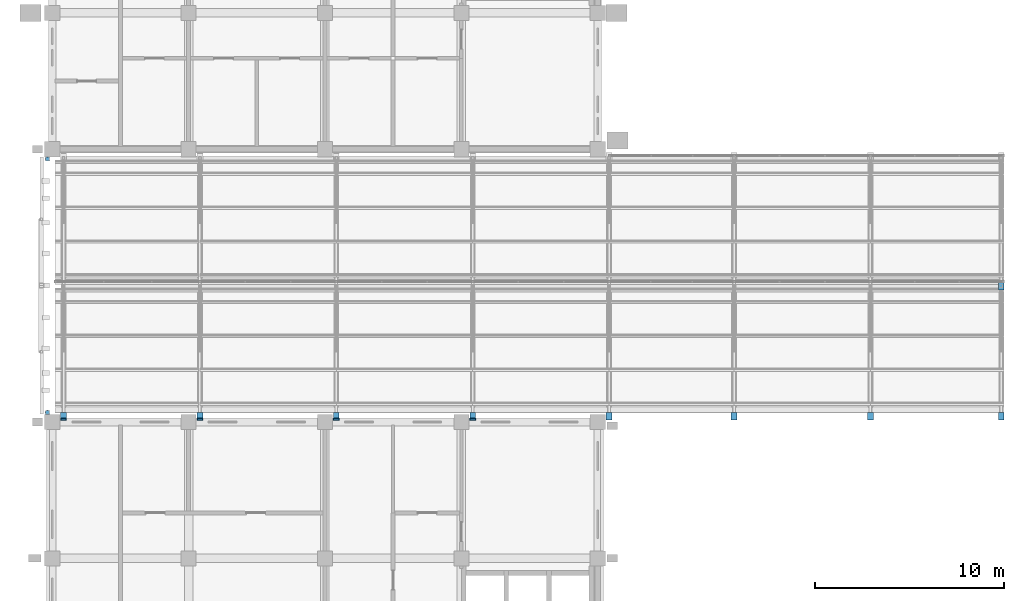
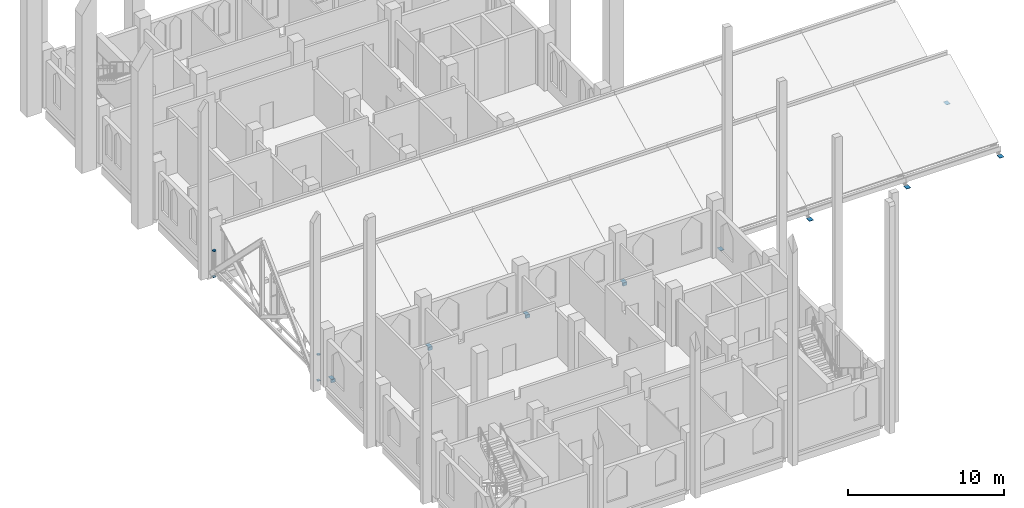
# One storey, part 25 of 29: 17 discrete accessories.
"""IFC4 building model written with IfcOpenShell, lengths in metres."""

from ifc_helpers import new_model, si_unit, direction, frame, origin, origin_2d, place, context, subcontext, project, spatial, polyline, rectangle, outline, extrude, material, element, save


model = new_model("IFC4")

# Units and contexts
model_context = context("Model", 3, precision=1e-05, world=origin(), true_north=direction((0.0, 1.0)))
body_context = subcontext(model_context, "Body", "Model", "MODEL_VIEW")
ifc_project = project(units=[si_unit("LENGTHUNIT", "METRE"), si_unit("AREAUNIT", "SQUARE_METRE"), si_unit("VOLUMEUNIT", "CUBIC_METRE"), si_unit("PLANEANGLEUNIT", "RADIAN"), si_unit("MASSUNIT", "GRAM", prefix="KILO")], contexts=[model_context])

# Site, building, storey
site_placement = place(None, origin())
site = spatial("IfcSite", under=ifc_project, at=site_placement, CompositionType="ELEMENT")
building_placement = place(site_placement, origin())
building = spatial("IfcBuilding", under=site, at=building_placement, Name="Silangan Lancet Faculty of Sciences", CompositionType="ELEMENT")
storey_placement = place(building_placement, frame((0.0, 0.0, 40.800048828125)))
storey = spatial("IfcBuildingStorey", under=building, at=storey_placement, Name="L08", CompositionType="ELEMENT", Elevation=40.800048828125)

# Discrete accessories
discrete_accessory_1_placement = place(storey_placement, frame((0.60009765625, 21.75, -0.25), z_axis=(0.0, 0.0, 1.0), x_axis=(1.0, 0.0, 0.0)))
element("IfcDiscreteAccessory", 1, at=discrete_accessory_1_placement, inside=storey, Name="Truss bearing pedestal ATRIUM-1-1", PredefinedType="BRACKET", context=body_context, shape_type="SweptSolid", body=[
    extrude(rectangle(XDim=0.300048828125, YDim=0.10009765625, at=origin_2d()), origin(), (0.0, 0.0, 1.0), 0.25),
])
ifc_material_1 = material(Name="Steel SS400", Category="steel")
discrete_accessory_2_placement = place(storey_placement, frame((0.60009765625, 21.89990234375, 0.0), z_axis=(0.0, 0.0, 1.0), x_axis=(1.0, 0.0, 0.0)))
element("IfcDiscreteAccessory", 2, at=discrete_accessory_2_placement, inside=storey, material=ifc_material_1, Name="Truss bearing plate ATRIUM-1-1", PredefinedType="ANCHORPLATE", context=body_context, shape_type="SweptSolid", body=[
    extrude(rectangle(XDim=0.300048828125, YDim=0.39990234375, at=origin_2d()), origin(), (0.0, 0.0, 1.0), 0.02001953125),
])
discrete_accessory_3_placement = place(storey_placement, frame((7.800048828125, 21.75, -0.25), z_axis=(0.0, 0.0, 1.0), x_axis=(1.0, 0.0, 0.0)))
element("IfcDiscreteAccessory", 3, at=discrete_accessory_3_placement, inside=storey, Name="Truss bearing pedestal ATRIUM-2-1", PredefinedType="BRACKET", context=body_context, shape_type="SweptSolid", body=[
    extrude(rectangle(XDim=0.300048828125, YDim=0.10009765625, at=origin_2d()), origin(), (0.0, 0.0, 1.0), 0.25),
])
discrete_accessory_4_placement = place(storey_placement, frame((7.800048828125, 21.89990234375, 0.0), z_axis=(0.0, 0.0, 1.0), x_axis=(1.0, 0.0, 0.0)))
element("IfcDiscreteAccessory", 4, at=discrete_accessory_4_placement, inside=storey, material=ifc_material_1, Name="Truss bearing plate ATRIUM-2-1", PredefinedType="ANCHORPLATE", context=body_context, shape_type="SweptSolid", body=[
    extrude(rectangle(XDim=0.300048828125, YDim=0.39990234375, at=origin_2d()), origin(), (0.0, 0.0, 1.0), 0.02001953125),
])
discrete_accessory_5_placement = place(storey_placement, frame((15.0, 21.75, -0.25), z_axis=(0.0, 0.0, 1.0), x_axis=(1.0, 0.0, 0.0)))
element("IfcDiscreteAccessory", 5, at=discrete_accessory_5_placement, inside=storey, Name="Truss bearing pedestal ATRIUM-3-1", PredefinedType="BRACKET", context=body_context, shape_type="SweptSolid", body=[
    extrude(rectangle(XDim=0.300048828125, YDim=0.10009765625, at=origin_2d()), origin(), (0.0, 0.0, 1.0), 0.25),
])
discrete_accessory_6_placement = place(storey_placement, frame((15.0, 21.89990234375, 0.0), z_axis=(0.0, 0.0, 1.0), x_axis=(1.0, 0.0, 0.0)))
element("IfcDiscreteAccessory", 6, at=discrete_accessory_6_placement, inside=storey, material=ifc_material_1, Name="Truss bearing plate ATRIUM-3-1", PredefinedType="ANCHORPLATE", context=body_context, shape_type="SweptSolid", body=[
    extrude(rectangle(XDim=0.300048828125, YDim=0.39990234375, at=origin_2d()), origin(), (0.0, 0.0, 1.0), 0.02001953125),
])
discrete_accessory_7_placement = place(storey_placement, frame((22.199951171875, 21.75, -0.25), z_axis=(0.0, 0.0, 1.0), x_axis=(1.0, 0.0, 0.0)))
element("IfcDiscreteAccessory", 7, at=discrete_accessory_7_placement, inside=storey, Name="Truss bearing pedestal ATRIUM-4-1", PredefinedType="BRACKET", context=body_context, shape_type="SweptSolid", body=[
    extrude(rectangle(XDim=0.300048828125, YDim=0.10009765625, at=origin_2d()), origin(), (0.0, 0.0, 1.0), 0.25),
])
for number, where, z_axis, x_axis, name in (
    (8, (22.199951171875, 21.89990234375, 0.0), (0.0, 0.0, 1.0), (1.0, 0.0, 0.0), "Truss bearing plate ATRIUM-4-1"),
    (9, (29.39990234375, 21.89990234375, 0.0), (0.0, 0.0, 1.0), (1.0, 0.0, 0.0), "Truss bearing plate ATRIUM-5-1"),
    (10, (36.0, 21.89990234375, 0.0), (0.0, 0.0, 1.0), (1.0, 0.0, 0.0), "Truss bearing plate ATRIUM-6-1"),
    (11, (43.199951171875, 21.89990234375, 0.0), (0.0, 0.0, 1.0), (1.0, 0.0, 0.0), "Truss bearing plate ATRIUM-7-1"),
    (12, (50.10009765625, 21.89990234375, 0.0), (0.0, 0.0, 1.0), (1.0, 0.0, 0.0), "Truss bearing plate ATRIUM-8-1"),
    (13, (50.10009765625, 28.77001953125, 0.0), (0.0, 0.0, 1.0), (1.0, 0.0, 0.0), "Truss bearing plate ATRIUM-8-2"),
):
    element("IfcDiscreteAccessory", number, at=place(storey_placement, frame(where, z_axis=z_axis, x_axis=x_axis)), inside=storey, material=ifc_material_1, Name=name, PredefinedType="ANCHORPLATE", context=body_context, shape_type="SweptSolid", body=[
        extrude(rectangle(XDim=0.300048828125, YDim=0.39990234375, at=origin_2d()), origin(), (0.0, 0.0, 1.0), 0.02001953125),
    ])
ifc_material_2 = material(Name="Steel STK400", Category="steel")
discrete_accessory_8_placement = place(storey_placement, frame((0.0, 0.0, 2.0)))
element("IfcDiscreteAccessory", 14, at=discrete_accessory_8_placement, inside=storey, material=ifc_material_2, Name="Gable pinnacle west S cap", ObjectType="END CAP", PredefinedType="USERDEFINED", context=body_context, shape_type="SweptSolid", body=[
    extrude(outline(polyline([(-0.14990234375, 22.108154296875), (-0.153564453125, 22.135986328125), (-0.164306640625, 22.162109375), (-0.181640625, 22.1845703125), (-0.2041015625, 22.201904296875), (-0.22998046875, 22.212646484375), (-0.258056640625, 22.21630859375), (-0.2861328125, 22.212646484375), (-0.312255859375, 22.201904296875), (-0.334716796875, 22.1845703125), (-0.351806640625, 22.162109375), (-0.362548828125, 22.135986328125), (-0.3662109375, 22.108154296875), (-0.362548828125, 22.080078125), (-0.351806640625, 22.053955078125), (-0.334716796875, 22.031494140625), (-0.312255859375, 22.014404296875), (-0.2861328125, 22.003662109375), (-0.258056640625, 22.0), (-0.22998046875, 22.003662109375), (-0.2041015625, 22.014404296875), (-0.181640625, 22.031494140625), (-0.164306640625, 22.053955078125), (-0.153564453125, 22.080078125), (-0.14990234375, 22.108154296875)])), origin(), (0.0, 0.0, 1.0), 0.02001953125),
])
discrete_accessory_9_placement = place(storey_placement, frame((0.0, 0.0, 2.0)))
element("IfcDiscreteAccessory", 15, at=discrete_accessory_9_placement, inside=storey, material=ifc_material_2, Name="Gable pinnacle west N cap", ObjectType="END CAP", PredefinedType="USERDEFINED", context=body_context, shape_type="SweptSolid", body=[
    extrude(outline(polyline([(-0.14990234375, 35.491943359375), (-0.153564453125, 35.52001953125), (-0.164306640625, 35.5458984375), (-0.181640625, 35.568359375), (-0.2041015625, 35.585693359375), (-0.22998046875, 35.596435546875), (-0.258056640625, 35.60009765625), (-0.2861328125, 35.596435546875), (-0.312255859375, 35.585693359375), (-0.334716796875, 35.568359375), (-0.351806640625, 35.5458984375), (-0.362548828125, 35.52001953125), (-0.3662109375, 35.491943359375), (-0.362548828125, 35.4638671875), (-0.351806640625, 35.437744140625), (-0.334716796875, 35.415283203125), (-0.312255859375, 35.398193359375), (-0.2861328125, 35.387451171875), (-0.258056640625, 35.3837890625), (-0.22998046875, 35.387451171875), (-0.2041015625, 35.398193359375), (-0.181640625, 35.415283203125), (-0.164306640625, 35.437744140625), (-0.153564453125, 35.4638671875), (-0.14990234375, 35.491943359375)])), origin(), (0.0, 0.0, 1.0), 0.02001953125),
])
for number, where, z_axis, x_axis, name in (
    (16, (-0.258056640625, 22.108154296875, -0.01611328125), (0.0, 0.0, 1.0), (1.0, 0.0, 0.0), "Pinnacle seat plate RS3 GABLE-W-S"),
    (17, (-0.258056640625, 35.491943359375, -0.01611328125), (0.0, 0.0, 1.0), (1.0, 0.0, 0.0), "Pinnacle seat plate RS3 GABLE-W-N"),
):
    element("IfcDiscreteAccessory", number, at=place(storey_placement, frame(where, z_axis=z_axis, x_axis=x_axis)), inside=storey, material=ifc_material_1, Name=name, PredefinedType="ANCHORPLATE", context=body_context, shape_type="SweptSolid", body=[
        extrude(rectangle(XDim=0.21630859375, YDim=0.21630859375, at=origin_2d()), origin(), (0.0, 0.0, 1.0), 0.01611328125),
    ])

save(model, "model.ifc")
